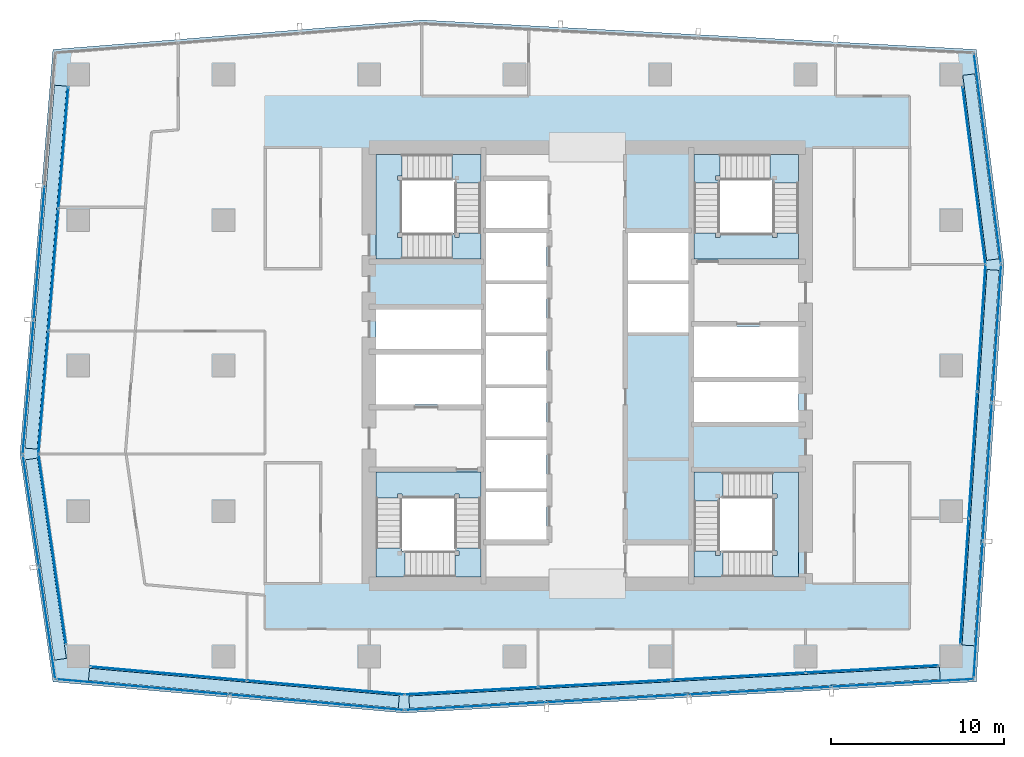
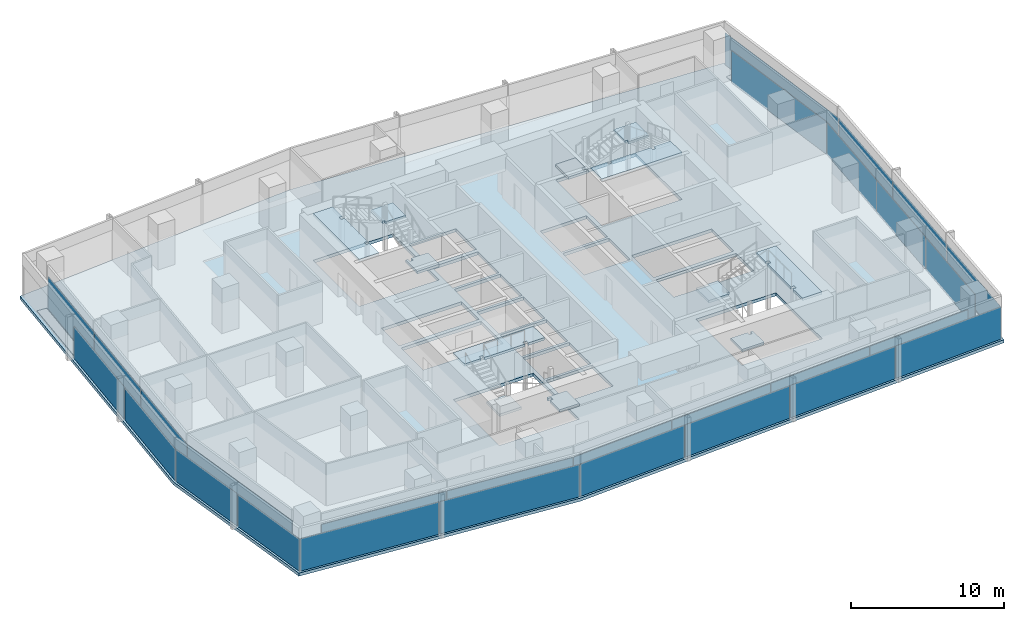
# One storey, part 21 of 30: 34 plates, 13 slabs, 16 elements without a shape of their own.
"""IFC4 building model written with IfcOpenShell, lengths in metres."""

from ifc_helpers import new_model, si_unit, direction, frame, origin, origin_2d, place, context, subcontext, project, spatial, polyline, rectangle, outline, extrude, material, layer, layer_set, type_object, element, aggregate, save


model = new_model("IFC4")

# Units and contexts
model_context = context("Model", 3, precision=1e-05, world=origin(), true_north=direction((0.0, 1.0)))
body_context = subcontext(model_context, "Body", "Model", "MODEL_VIEW")
ifc_project = project(units=[si_unit("LENGTHUNIT", "METRE"), si_unit("AREAUNIT", "SQUARE_METRE"), si_unit("VOLUMEUNIT", "CUBIC_METRE"), si_unit("PLANEANGLEUNIT", "RADIAN"), si_unit("MASSUNIT", "GRAM", prefix="KILO")], contexts=[model_context])

# Site, building, storey
site_placement = place(None, origin())
site = spatial("IfcSite", under=ifc_project, at=site_placement, CompositionType="ELEMENT")
building_placement = place(site_placement, origin())
building = spatial("IfcBuilding", under=site, at=building_placement, Name="Rekha Terrace Tower", CompositionType="ELEMENT")
storey_placement = place(building_placement, frame((0.0, 0.0, 265.10009765625)))
storey = spatial("IfcBuildingStorey", under=building, at=storey_placement, Name="L67", CompositionType="ELEMENT", Elevation=265.10009765625)

# Curtain wall, plates
ifc_material_1 = material(Name="Aluminium framing", Category="aluminium")
curtain_wall_type_1 = type_object("IfcCurtainWallType", Name="CW1 double skin inner glazing", PredefinedType="USERDEFINED", material=ifc_material_1)
curtain_wall_1_placement = place(storey_placement, origin())
curtain_wall_1 = element("IfcCurtainWall", 1, at=curtain_wall_1_placement, inside=storey, type_object=curtain_wall_type_1, Name="CW1 double skin inner glazing", ObjectType="DOUBLE SKIN INNER GLAZING", PredefinedType="USERDEFINED")
ifc_material_2 = material(Name="Double-glazed low-e unit 32", Category="glass")
ifc_layer_1 = layer(ifc_material_2, 0.031982421875)
ifc_layer_set_1 = layer_set([ifc_layer_1], Name="Double-glazed low-e unit 32")
plate_type_1 = type_object("IfcPlateType", Name="CW1 jumbo vision panel, double-glazed low-e unit 32", PredefinedType="CURTAIN_PANEL", material=ifc_layer_set_1)
plate_1_placement = place(storey_placement, frame((13.62939453125, 15.820556640625, -0.000244140625), z_axis=(0.0, 0.0, 1.0), x_axis=(0.996074182663, -0.088522441405, 0.0)))
plate_1 = element("IfcPlate", 2, at=plate_1_placement, type_object=plate_type_1, Name="CW1 panel 1.1", PredefinedType="CURTAIN_PANEL", context=body_context, shape_type="SweptSolid", body=[
    extrude(rectangle(XDim=9.010986328125, YDim=0.031982421875, at=origin_2d()), origin(), (0.0, 0.0, 1.0), 2.60009765625),
])
plate_2_placement = place(storey_placement, frame((22.701904296875, 15.01416015625, -0.000244140625), z_axis=(0.0, 0.0, 1.0), x_axis=(0.996074182663, -0.088522441405, 0.0)))
plate_2 = element("IfcPlate", 3, at=plate_2_placement, type_object=plate_type_1, Name="CW1 panel 2.1", PredefinedType="CURTAIN_PANEL", context=body_context, shape_type="SweptSolid", body=[
    extrude(rectangle(XDim=9.075927734375, YDim=0.031982421875, at=origin_2d()), origin(), (0.0, 0.0, 1.0), 2.60009765625),
])
aggregate(curtain_wall_1, [plate_1, plate_2])

curtain_wall_2_placement = place(storey_placement, origin())
curtain_wall_2 = element("IfcCurtainWall", 4, at=curtain_wall_2_placement, inside=storey, type_object=curtain_wall_type_1, Name="CW1 double skin inner glazing", ObjectType="DOUBLE SKIN INNER GLAZING", PredefinedType="USERDEFINED")
plate_3_placement = place(storey_placement, frame((31.101318359375, 14.82373046875, -0.000244140625), z_axis=(0.0, 0.0, 1.0), x_axis=(0.998519828159, 0.054388903036, 0.0)))
plate_3 = element("IfcPlate", 5, at=plate_3_placement, type_object=plate_type_1, Name="CW1 panel 1.1", PredefinedType="CURTAIN_PANEL", context=body_context, shape_type="SweptSolid", body=[
    extrude(rectangle(XDim=7.6396484375, YDim=0.031982421875, at=origin_2d()), origin(), (0.0, 0.0, 1.0), 2.60009765625),
])
plate_4_placement = place(storey_placement, frame((38.810791015625, 15.243896484375, -0.000244140625), z_axis=(0.0, 0.0, 1.0), x_axis=(0.998519828159, 0.054388903036, 0.0)))
plate_4 = element("IfcPlate", 6, at=plate_4_placement, type_object=plate_type_1, Name="CW1 panel 2.1", PredefinedType="CURTAIN_PANEL", context=body_context, shape_type="SweptSolid", body=[
    extrude(rectangle(XDim=7.672119140625, YDim=0.031982421875, at=origin_2d()), origin(), (0.0, 0.0, 1.0), 2.60009765625),
])
plate_5_placement = place(storey_placement, frame((46.536376953125, 15.66455078125, -0.000244140625), z_axis=(0.0, 0.0, 1.0), x_axis=(0.998519828159, 0.054388903036, 0.0)))
plate_5 = element("IfcPlate", 7, at=plate_5_placement, type_object=plate_type_1, Name="CW1 panel 3.1", PredefinedType="CURTAIN_PANEL", context=body_context, shape_type="SweptSolid", body=[
    extrude(rectangle(XDim=7.672119140625, YDim=0.031982421875, at=origin_2d()), origin(), (0.0, 0.0, 1.0), 2.60009765625),
])
plate_6_placement = place(storey_placement, frame((54.245849609375, 16.08447265625, -0.000244140625), z_axis=(0.0, 0.0, 1.0), x_axis=(0.998519828159, 0.054388903036, 0.0)))
plate_6 = element("IfcPlate", 8, at=plate_6_placement, type_object=plate_type_1, Name="CW1 panel 4.1", PredefinedType="CURTAIN_PANEL", context=body_context, shape_type="SweptSolid", body=[
    extrude(rectangle(XDim=7.6396484375, YDim=0.031982421875, at=origin_2d()), origin(), (0.0, 0.0, 1.0), 2.60009765625),
])
aggregate(curtain_wall_2, [plate_3, plate_4, plate_5, plate_6])

curtain_wall_3_placement = place(storey_placement, origin())
curtain_wall_3 = element("IfcCurtainWall", 9, at=curtain_wall_3_placement, inside=storey, type_object=curtain_wall_type_1, Name="CW1 double skin inner glazing", ObjectType="DOUBLE SKIN INNER GLAZING", PredefinedType="USERDEFINED")
plate_7_placement = place(storey_placement, frame((59.57275390625, 21.147705078125, -0.000244140625), z_axis=(0.0, 0.0, 1.0), x_axis=(0.066271589649, 0.997801621769, 0.0)))
plate_7 = element("IfcPlate", 10, at=plate_7_placement, type_object=plate_type_1, Name="CW1 panel 1.1", PredefinedType="CURTAIN_PANEL", context=body_context, shape_type="SweptSolid", body=[
    extrude(rectangle(XDim=7.228759765625, YDim=0.031982421875, at=origin_2d()), origin(), (0.0, 0.0, 1.0), 2.60009765625),
])
plate_8_placement = place(storey_placement, frame((60.05712890625, 28.441650390625, -0.000244140625), z_axis=(0.0, 0.0, 1.0), x_axis=(0.066271589649, 0.997801621769, 0.0)))
plate_8 = element("IfcPlate", 11, at=plate_8_placement, type_object=plate_type_1, Name="CW1 panel 2.1", PredefinedType="CURTAIN_PANEL", context=body_context, shape_type="SweptSolid", body=[
    extrude(rectangle(XDim=7.261474609375, YDim=0.031982421875, at=origin_2d()), origin(), (0.0, 0.0, 1.0), 2.60009765625),
])
plate_9_placement = place(storey_placement, frame((60.543701171875, 35.76806640625, -0.000244140625), z_axis=(0.0, 0.0, 1.0), x_axis=(0.066271589649, 0.997801621769, 0.0)))
plate_9 = element("IfcPlate", 12, at=plate_9_placement, type_object=plate_type_1, Name="CW1 panel 3.1", PredefinedType="CURTAIN_PANEL", context=body_context, shape_type="SweptSolid", body=[
    extrude(rectangle(XDim=7.2939453125, YDim=0.031982421875, at=origin_2d()), origin(), (0.0, 0.0, 1.0), 2.60009765625),
])
aggregate(curtain_wall_3, [plate_7, plate_8, plate_9])

# Curtain wall, plate
curtain_wall_4_placement = place(storey_placement, origin())
curtain_wall_4 = element("IfcCurtainWall", 13, at=curtain_wall_4_placement, inside=storey, type_object=curtain_wall_type_1, Name="CW1 double skin inner glazing", ObjectType="DOUBLE SKIN INNER GLAZING", PredefinedType="USERDEFINED")
plate_10_placement = place(storey_placement, frame((60.119873046875, 44.56884765625, -0.000244140625), z_axis=(0.0, 0.0, 1.0), x_axis=(-0.127869904766, 0.991790949472, 0.0)))
plate_10 = element("IfcPlate", 14, at=plate_10_placement, type_object=plate_type_1, Name="CW1 panel 1.1", PredefinedType="CURTAIN_PANEL", context=body_context, shape_type="SweptSolid", body=[
    extrude(rectangle(XDim=10.27880859375, YDim=0.031982421875, at=origin_2d()), origin(), (0.0, 0.0, 1.0), 2.60009765625),
])
aggregate(curtain_wall_4, [plate_10])

# Curtain wall, plates
curtain_wall_5_placement = place(storey_placement, origin())
curtain_wall_5 = element("IfcCurtainWall", 15, at=curtain_wall_5_placement, inside=storey, type_object=curtain_wall_type_1, Name="CW1 double skin inner glazing", ObjectType="DOUBLE SKIN INNER GLAZING", PredefinedType="USERDEFINED")
plate_11_placement = place(storey_placement, frame((7.5517578125, 46.173095703125, -0.000244140625), z_axis=(0.0, 0.0, 1.0), x_axis=(-0.081067906781, -0.996708580524, 0.0)))
plate_11 = element("IfcPlate", 16, at=plate_11_placement, type_object=plate_type_1, Name="CW1 panel 1.1", PredefinedType="CURTAIN_PANEL", context=body_context, shape_type="SweptSolid", body=[
    extrude(rectangle(XDim=6.9921875, YDim=0.031982421875, at=origin_2d()), origin(), (0.0, 0.0, 1.0), 2.60009765625),
])
plate_12_placement = place(storey_placement, frame((6.978271484375, 39.123046875, -0.000244140625), z_axis=(0.0, 0.0, 1.0), x_axis=(-0.081067906781, -0.996708580524, 0.0)))
plate_12 = element("IfcPlate", 17, at=plate_12_placement, type_object=plate_type_1, Name="CW1 panel 2.1", PredefinedType="CURTAIN_PANEL", context=body_context, shape_type="SweptSolid", body=[
    extrude(rectangle(XDim=7.024658203125, YDim=0.031982421875, at=origin_2d()), origin(), (0.0, 0.0, 1.0), 2.60009765625),
])
plate_13_placement = place(storey_placement, frame((6.40234375, 32.040283203125, -0.000244140625), z_axis=(0.0, 0.0, 1.0), x_axis=(-0.081067906781, -0.996708580524, 0.0)))
plate_13 = element("IfcPlate", 18, at=plate_13_placement, type_object=plate_type_1, Name="CW1 panel 3.1", PredefinedType="CURTAIN_PANEL", context=body_context, shape_type="SweptSolid", body=[
    extrude(rectangle(XDim=7.057373046875, YDim=0.031982421875, at=origin_2d()), origin(), (0.0, 0.0, 1.0), 2.60009765625),
])
aggregate(curtain_wall_5, [plate_11, plate_12, plate_13])

# Curtain wall, plate
curtain_wall_6_placement = place(storey_placement, origin())
curtain_wall_6 = element("IfcCurtainWall", 19, at=curtain_wall_6_placement, inside=storey, type_object=curtain_wall_type_1, Name="CW1 double skin inner glazing", ObjectType="DOUBLE SKIN INNER GLAZING", PredefinedType="USERDEFINED")
plate_14_placement = place(storey_placement, frame((6.915771484375, 22.994140625, -0.000244140625), z_axis=(0.0, 0.0, 1.0), x_axis=(0.143108322643, -0.989707031394, 0.0)))
plate_14 = element("IfcPlate", 20, at=plate_14_placement, type_object=plate_type_1, Name="CW1 panel 1.1", PredefinedType="CURTAIN_PANEL", context=body_context, shape_type="SweptSolid", body=[
    extrude(rectangle(XDim=11.043212890625, YDim=0.031982421875, at=origin_2d()), origin(), (0.0, 0.0, 1.0), 2.60009765625),
])
aggregate(curtain_wall_6, [plate_14])

# Curtain wall, plates
curtain_wall_type_2 = type_object("IfcCurtainWallType", Name="CW2 double skin outer glazing", PredefinedType="USERDEFINED", material=ifc_material_1)
curtain_wall_7_placement = place(storey_placement, origin())
curtain_wall_7 = element("IfcCurtainWall", 21, at=curtain_wall_7_placement, inside=storey, type_object=curtain_wall_type_2, Name="CW2 double skin outer glazing", ObjectType="DOUBLE SKIN OUTER GLAZING", PredefinedType="USERDEFINED")
ifc_material_3 = material(Name="Toughened single glazing 12", Category="glass")
ifc_layer_2 = layer(ifc_material_3, 0.011962890625)
ifc_layer_set_2 = layer_set([ifc_layer_2], Name="Toughened single glazing 12")
plate_type_2 = type_object("IfcPlateType", Name="CW2 jumbo vision panel, toughened single glazing 12", PredefinedType="CURTAIN_PANEL", material=ifc_layer_set_2)
plate_15_placement = place(storey_placement, frame((12.139404296875, 15.049560546875, -0.000244140625), z_axis=(0.0, 0.0, 1.0), x_axis=(0.996074182658, -0.088522441457, 0.0)))
plate_15 = element("IfcPlate", 22, at=plate_15_placement, type_object=plate_type_2, Name="CW2 panel 1.1", PredefinedType="CURTAIN_PANEL", context=body_context, shape_type="SweptSolid", body=[
    extrude(rectangle(XDim=9.977783203125, YDim=0.011962890625, at=origin_2d()), origin(), (0.0, 0.0, 1.0), 2.60009765625),
])
plate_16_placement = place(storey_placement, frame((22.197509765625, 14.155517578125, -0.000244140625), z_axis=(0.0, 0.0, 1.0), x_axis=(0.996074182658, -0.088522441457, 0.0)))
plate_16 = element("IfcPlate", 23, at=plate_16_placement, type_object=plate_type_2, Name="CW2 panel 2.1", PredefinedType="CURTAIN_PANEL", context=body_context, shape_type="SweptSolid", body=[
    extrude(rectangle(XDim=10.057861328125, YDim=0.011962890625, at=origin_2d()), origin(), (0.0, 0.0, 1.0), 2.60009765625),
])
aggregate(curtain_wall_7, [plate_15, plate_16])

curtain_wall_8_placement = place(storey_placement, origin())
curtain_wall_8 = element("IfcCurtainWall", 24, at=curtain_wall_8_placement, inside=storey, type_object=curtain_wall_type_2, Name="CW2 double skin outer glazing", ObjectType="DOUBLE SKIN OUTER GLAZING", PredefinedType="USERDEFINED")
plate_17_placement = place(storey_placement, frame((31.33837890625, 13.935546875, -0.000244140625), z_axis=(0.0, 0.0, 1.0), x_axis=(0.998519828157, 0.054388903071, 0.0)))
plate_17 = element("IfcPlate", 25, at=plate_17_placement, type_object=plate_type_2, Name="CW2 panel 1.1", PredefinedType="CURTAIN_PANEL", context=body_context, shape_type="SweptSolid", body=[
    extrude(rectangle(XDim=8.115478515625, YDim=0.011962890625, at=origin_2d()), origin(), (0.0, 0.0, 1.0), 2.60009765625),
])
plate_18_placement = place(storey_placement, frame((39.54150390625, 14.38232421875, -0.000244140625), z_axis=(0.0, 0.0, 1.0), x_axis=(0.998519828157, 0.054388903071, 0.0)))
plate_18 = element("IfcPlate", 26, at=plate_18_placement, type_object=plate_type_2, Name="CW2 panel 2.1", PredefinedType="CURTAIN_PANEL", context=body_context, shape_type="SweptSolid", body=[
    extrude(rectangle(XDim=8.155517578125, YDim=0.011962890625, at=origin_2d()), origin(), (0.0, 0.0, 1.0), 2.60009765625),
])
plate_19_placement = place(storey_placement, frame((47.764892578125, 14.830078125, -0.000244140625), z_axis=(0.0, 0.0, 1.0), x_axis=(0.998519828157, 0.054388903071, 0.0)))
plate_19 = element("IfcPlate", 27, at=plate_19_placement, type_object=plate_type_2, Name="CW2 panel 3.1", PredefinedType="CURTAIN_PANEL", context=body_context, shape_type="SweptSolid", body=[
    extrude(rectangle(XDim=8.155517578125, YDim=0.011962890625, at=origin_2d()), origin(), (0.0, 0.0, 1.0), 2.60009765625),
])
plate_20_placement = place(storey_placement, frame((56.008056640625, 15.279296875, -0.000244140625), z_axis=(0.0, 0.0, 1.0), x_axis=(0.998519828157, 0.054388903071, 0.0)))
plate_20 = element("IfcPlate", 28, at=plate_20_placement, type_object=plate_type_2, Name="CW2 panel 4.1", PredefinedType="CURTAIN_PANEL", context=body_context, shape_type="SweptSolid", body=[
    extrude(rectangle(XDim=8.195556640625, YDim=0.011962890625, at=origin_2d()), origin(), (0.0, 0.0, 1.0), 2.60009765625),
])
aggregate(curtain_wall_8, [plate_17, plate_18, plate_19, plate_20])

curtain_wall_9_placement = place(storey_placement, origin())
curtain_wall_9 = element("IfcCurtainWall", 29, at=curtain_wall_9_placement, inside=storey, type_object=curtain_wall_type_2, Name="CW2 double skin outer glazing", ObjectType="DOUBLE SKIN OUTER GLAZING", PredefinedType="USERDEFINED")
plate_21_placement = place(storey_placement, frame((60.365966796875, 19.5107421875, -0.000244140625), z_axis=(0.0, 0.0, 1.0), x_axis=(0.066271589649, 0.997801621769, 0.0)))
plate_21 = element("IfcPlate", 30, at=plate_21_placement, type_object=plate_type_2, Name="CW2 panel 1.1", PredefinedType="CURTAIN_PANEL", context=body_context, shape_type="SweptSolid", body=[
    extrude(rectangle(XDim=7.875244140625, YDim=0.011962890625, at=origin_2d()), origin(), (0.0, 0.0, 1.0), 2.60009765625),
])
plate_22_placement = place(storey_placement, frame((60.89453125, 27.468505859375, -0.000244140625), z_axis=(0.0, 0.0, 1.0), x_axis=(0.066271589649, 0.997801621769, 0.0)))
plate_22 = element("IfcPlate", 31, at=plate_22_placement, type_object=plate_type_2, Name="CW2 panel 2.1", PredefinedType="CURTAIN_PANEL", context=body_context, shape_type="SweptSolid", body=[
    extrude(rectangle(XDim=7.915283203125, YDim=0.011962890625, at=origin_2d()), origin(), (0.0, 0.0, 1.0), 2.60009765625),
])
plate_23_placement = place(storey_placement, frame((61.42578125, 35.466064453125, -0.000244140625), z_axis=(0.0, 0.0, 1.0), x_axis=(0.066271589649, 0.997801621769, 0.0)))
plate_23 = element("IfcPlate", 32, at=plate_23_placement, type_object=plate_type_2, Name="CW2 panel 3.1", PredefinedType="CURTAIN_PANEL", context=body_context, shape_type="SweptSolid", body=[
    extrude(rectangle(XDim=7.955322265625, YDim=0.011962890625, at=origin_2d()), origin(), (0.0, 0.0, 1.0), 2.60009765625),
])
aggregate(curtain_wall_9, [plate_21, plate_22, plate_23])

# Curtain wall, plate
curtain_wall_10_placement = place(storey_placement, origin())
curtain_wall_10 = element("IfcCurtainWall", 33, at=curtain_wall_10_placement, inside=storey, type_object=curtain_wall_type_2, Name="CW2 double skin outer glazing", ObjectType="DOUBLE SKIN OUTER GLAZING", PredefinedType="USERDEFINED")
plate_24_placement = place(storey_placement, frame((60.89892578125, 45.566162109375, -0.000244140625), z_axis=(0.0, 0.0, 1.0), x_axis=(-0.12786990487, 0.991790949459, 0.0)))
plate_24 = element("IfcPlate", 34, at=plate_24_placement, type_object=plate_type_2, Name="CW2 panel 1.1", PredefinedType="CURTAIN_PANEL", context=body_context, shape_type="SweptSolid", body=[
    extrude(rectangle(XDim=12.203857421875, YDim=0.011962890625, at=origin_2d()), origin(), (0.0, 0.0, 1.0), 2.60009765625),
])
aggregate(curtain_wall_10, [plate_24])

# Curtain wall, plates
curtain_wall_11_placement = place(storey_placement, origin())
curtain_wall_11 = element("IfcCurtainWall", 35, at=curtain_wall_11_placement, inside=storey, type_object=curtain_wall_type_2, Name="CW2 double skin outer glazing", ObjectType="DOUBLE SKIN OUTER GLAZING", PredefinedType="USERDEFINED")
plate_25_placement = place(storey_placement, frame((6.15478515625, 40.09814453125, -0.000244140625), z_axis=(0.0, 0.0, 1.0), x_axis=(-0.081067906816, -0.996708580521, 0.0)))
plate_25 = element("IfcPlate", 36, at=plate_25_placement, type_object=plate_type_2, Name="CW2 panel 2.1", PredefinedType="CURTAIN_PANEL", context=body_context, shape_type="SweptSolid", body=[
    extrude(rectangle(XDim=7.680908203125, YDim=0.011962890625, at=origin_2d()), origin(), (0.0, 0.0, 1.0), 2.60009765625),
])
plate_26_placement = place(storey_placement, frame((5.52392578125, 32.3427734375, -0.000244140625), z_axis=(0.0, 0.0, 1.0), x_axis=(-0.081067906816, -0.996708580521, 0.0)))
plate_26 = element("IfcPlate", 37, at=plate_26_placement, type_object=plate_type_2, Name="CW2 panel 3.1", PredefinedType="CURTAIN_PANEL", context=body_context, shape_type="SweptSolid", body=[
    extrude(rectangle(XDim=7.720947265625, YDim=0.011962890625, at=origin_2d()), origin(), (0.0, 0.0, 1.0), 2.60009765625),
])
aggregate(curtain_wall_11, [plate_25, plate_26])

curtain_wall_12_placement = place(storey_placement, origin())
curtain_wall_12 = element("IfcCurtainWall", 38, at=curtain_wall_12_placement, inside=storey, type_object=curtain_wall_type_2, Name="CW2 double skin outer glazing", ObjectType="DOUBLE SKIN OUTER GLAZING", PredefinedType="USERDEFINED")
plate_27_placement = place(storey_placement, frame((5.68359375, 25.22607421875, -0.000244140625), z_axis=(0.0, 0.0, 1.0), x_axis=(0.143108322678, -0.989707031389, 0.0)))
plate_27 = element("IfcPlate", 39, at=plate_27_placement, type_object=plate_type_2, Name="CW2 panel 1.1", PredefinedType="CURTAIN_PANEL", context=body_context, shape_type="SweptSolid", body=[
    extrude(rectangle(XDim=6.446044921875, YDim=0.011962890625, at=origin_2d()), origin(), (0.0, 0.0, 1.0), 2.60009765625),
])
plate_28_placement = place(storey_placement, frame((6.623291015625, 18.7275390625, -0.000244140625), z_axis=(0.0, 0.0, 1.0), x_axis=(0.143108322678, -0.989707031389, 0.0)))
plate_28 = element("IfcPlate", 40, at=plate_28_placement, type_object=plate_type_2, Name="CW2 panel 2.1", PredefinedType="CURTAIN_PANEL", context=body_context, shape_type="SweptSolid", body=[
    extrude(rectangle(XDim=6.526123046875, YDim=0.011962890625, at=origin_2d()), origin(), (0.0, 0.0, 1.0), 2.60009765625),
])
aggregate(curtain_wall_12, [plate_27, plate_28])

# Plates
ifc_material_4 = material(Name="Galvanised steel open grating", Category="steel")
ifc_layer_3 = layer(ifc_material_4, 0.050048828125)
ifc_layer_set_3 = layer_set([ifc_layer_3], Name="Galvanised steel open grating")
plate_type_3 = type_object("IfcPlateType", Name="GT1 cavity walkway grating 50", PredefinedType="USERDEFINED", material=ifc_layer_set_3)
plate_29_placement = place(storey_placement, frame((17.974853515625, 14.982666015625, 0.0), z_axis=(0.0, 0.0, 1.0), x_axis=(0.99607418266, -0.08852244144, 0.0)))
element("IfcPlate", 41, at=plate_29_placement, inside=storey, type_object=plate_type_3, Name="Cavity walkway grating", ObjectType="CAVITY WALKWAY GRATING", PredefinedType="USERDEFINED", context=body_context, shape_type="SweptSolid", body=[
    extrude(rectangle(XDim=17.9521484375, YDim=0.705078125, at=origin_2d()), origin(), (0.0, 0.0, 1.0), 0.050048828125),
])
plate_30_placement = place(storey_placement, frame((42.830322265625, 15.011962890625, 0.0), z_axis=(0.0, 0.0, 1.0), x_axis=(0.998519828157, 0.054388903071, 0.0)))
element("IfcPlate", 42, at=plate_30_placement, inside=storey, type_object=plate_type_3, Name="Cavity walkway grating", ObjectType="CAVITY WALKWAY GRATING", PredefinedType="USERDEFINED", context=body_context, shape_type="SweptSolid", body=[
    extrude(rectangle(XDim=30.677978515625, YDim=0.705078125, at=origin_2d()), origin(), (0.0, 0.0, 1.0), 0.050048828125),
])
plate_31_placement = place(storey_placement, frame((60.497802734375, 28.284912109375, 0.0), z_axis=(0.0, 0.0, 1.0), x_axis=(0.066271589649, 0.997801621769, 0.0)))
element("IfcPlate", 43, at=plate_31_placement, inside=storey, type_object=plate_type_3, Name="Cavity walkway grating", ObjectType="CAVITY WALKWAY GRATING", PredefinedType="USERDEFINED", context=body_context, shape_type="SweptSolid", body=[
    extrude(rectangle(XDim=21.72119140625, YDim=0.705078125, at=origin_2d()), origin(), (0.0, 0.0, 1.0), 0.050048828125),
])
plate_32_placement = place(storey_placement, frame((60.510498046875, 45.058837890625, 0.0), z_axis=(0.0, 0.0, 1.0), x_axis=(-0.127869904852, 0.991790949461, 0.0)))
element("IfcPlate", 44, at=plate_32_placement, inside=storey, type_object=plate_type_3, Name="Cavity walkway grating", ObjectType="CAVITY WALKWAY GRATING", PredefinedType="USERDEFINED", context=body_context, shape_type="SweptSolid", body=[
    extrude(rectangle(XDim=10.76904296875, YDim=0.705078125, at=origin_2d()), origin(), (0.0, 0.0, 1.0), 0.050048828125),
])
plate_33_placement = place(storey_placement, frame((6.5400390625, 39.28369140625, 0.0), z_axis=(0.0, 0.0, 1.0), x_axis=(-0.081067906798, -0.996708580523, 0.0)))
element("IfcPlate", 45, at=plate_33_placement, inside=storey, type_object=plate_type_3, Name="Cavity walkway grating", ObjectType="CAVITY WALKWAY GRATING", PredefinedType="USERDEFINED", context=body_context, shape_type="SweptSolid", body=[
    extrude(rectangle(XDim=21.02001953125, YDim=0.705078125, at=origin_2d()), origin(), (0.0, 0.0, 1.0), 0.050048828125),
])
plate_34_placement = place(storey_placement, frame((6.54248046875, 22.4306640625, 0.0), z_axis=(0.0, 0.0, 1.0), x_axis=(0.143108322643, -0.989707031394, 0.0)))
element("IfcPlate", 46, at=plate_34_placement, inside=storey, type_object=plate_type_3, Name="Cavity walkway grating", ObjectType="CAVITY WALKWAY GRATING", PredefinedType="USERDEFINED", context=body_context, shape_type="SweptSolid", body=[
    extrude(rectangle(XDim=11.68310546875, YDim=0.705078125, at=origin_2d()), origin(), (0.0, 0.0, 1.0), 0.050048828125),
])

# Stair, slabs
ifc_material_5 = material(Name="Concrete M40", Category="concrete")
stair_type = type_object("IfcStairType", Name="ST30 stair, 30 risers of 125, going 320, 1500 wide flights, 3 flights", PredefinedType="HALF_TURN_STAIR", material=ifc_material_5)
stair_1_placement = place(storey_placement, origin())
stair_1 = element("IfcStair", 47, at=stair_1_placement, inside=storey, type_object=stair_type, Name="Stair ST1 L67 to L68", PredefinedType="HALF_TURN_STAIR")
ifc_layer_4 = layer(ifc_material_5, 0.199951171875)
ifc_layer_set_4 = layer_set([ifc_layer_4], Name="Concrete M40")
slab_type_1 = type_object("IfcSlabType", Name="LD1 200 concrete stair landing", PredefinedType="LANDING", material=ifc_layer_set_4)
slab_1_placement = place(storey_placement, frame((0.0, 0.0, 1.0498046875)))
slab_1 = element("IfcSlab", 48, at=slab_1_placement, type_object=slab_type_1, Name="ST1 landing 1", PredefinedType="LANDING", context=body_context, shape_type="SweptSolid", body=[
    extrude(outline(polyline([(30.14990234375, 21.39990234375), (31.64990234375, 21.39990234375), (31.64990234375, 23.070068359375), (30.14990234375, 23.070068359375), (30.14990234375, 22.89990234375), (30.39990234375, 22.89990234375), (30.39990234375, 22.64990234375), (30.14990234375, 22.64990234375), (30.14990234375, 21.39990234375)])), origin(), (0.0, 0.0, 1.0), 0.2001953125),
])
slab_2_placement = place(storey_placement, frame((0.0, 0.0, 2.2998046875)))
slab_2 = element("IfcSlab", 49, at=slab_2_placement, type_object=slab_type_1, Name="ST1 landing 2", PredefinedType="LANDING", context=body_context, shape_type="SweptSolid", body=[
    extrude(outline(polyline([(27.10009765625, 23.070068359375), (25.60009765625, 23.070068359375), (25.60009765625, 21.39990234375), (27.27001953125, 21.39990234375), (27.27001953125, 22.89990234375), (27.10009765625, 22.89990234375), (27.10009765625, 23.070068359375)])), origin(), (0.0, 0.0, 1.0), 0.2001953125),
])
slab_3_placement = place(storey_placement, frame((0.0, 0.0, 3.5498046875)))
slab_3 = element("IfcSlab", 50, at=slab_3_placement, type_object=slab_type_1, Name="ST1 landing 3", PredefinedType="LANDING", context=body_context, shape_type="SweptSolid", body=[
    extrude(outline(polyline([(31.64990234375, 25.949951171875), (31.64990234375, 27.449951171875), (25.60009765625, 27.449951171875), (25.60009765625, 25.949951171875), (26.85009765625, 25.949951171875), (26.85009765625, 26.199951171875), (27.10009765625, 26.199951171875), (27.10009765625, 25.949951171875), (30.14990234375, 25.949951171875), (30.14990234375, 26.199951171875), (30.39990234375, 26.199951171875), (30.39990234375, 25.949951171875), (31.64990234375, 25.949951171875)])), origin(), (0.0, 0.0, 1.0), 0.2001953125),
])
aggregate(stair_1, [slab_1, slab_2, slab_3])

stair_2_placement = place(storey_placement, origin())
stair_2 = element("IfcStair", 51, at=stair_2_placement, inside=storey, type_object=stair_type, Name="Stair ST2 L67 to L68", PredefinedType="HALF_TURN_STAIR")
slab_4_placement = place(storey_placement, frame((0.0, 0.0, 1.0498046875)))
slab_4 = element("IfcSlab", 52, at=slab_4_placement, type_object=slab_type_1, Name="ST2 landing 1", PredefinedType="LANDING", context=body_context, shape_type="SweptSolid", body=[
    extrude(outline(polyline([(45.449951171875, 45.800048828125), (43.949951171875, 45.800048828125), (43.949951171875, 44.1298828125), (45.449951171875, 44.1298828125), (45.449951171875, 44.300048828125), (45.199951171875, 44.300048828125), (45.199951171875, 44.550048828125), (45.449951171875, 44.550048828125), (45.449951171875, 45.800048828125)])), origin(), (0.0, 0.0, 1.0), 0.2001953125),
])
slab_5_placement = place(storey_placement, frame((0.0, 0.0, 2.2998046875)))
slab_5 = element("IfcSlab", 53, at=slab_5_placement, type_object=slab_type_1, Name="ST2 landing 2", PredefinedType="LANDING", context=body_context, shape_type="SweptSolid", body=[
    extrude(outline(polyline([(48.5, 44.1298828125), (50.0, 44.1298828125), (50.0, 45.800048828125), (48.330078125, 45.800048828125), (48.330078125, 44.300048828125), (48.5, 44.300048828125), (48.5, 44.1298828125)])), origin(), (0.0, 0.0, 1.0), 0.2001953125),
])
slab_6_placement = place(storey_placement, frame((0.0, 0.0, 3.5498046875)))
slab_6 = element("IfcSlab", 54, at=slab_6_placement, type_object=slab_type_1, Name="ST2 landing 3", PredefinedType="LANDING", context=body_context, shape_type="SweptSolid", body=[
    extrude(outline(polyline([(43.949951171875, 41.25), (43.949951171875, 39.75), (50.0, 39.75), (50.0, 41.25), (48.75, 41.25), (48.75, 41.0), (48.5, 41.0), (48.5, 41.25), (45.449951171875, 41.25), (45.449951171875, 41.0), (45.199951171875, 41.0), (45.199951171875, 41.25), (43.949951171875, 41.25)])), origin(), (0.0, 0.0, 1.0), 0.2001953125),
])
aggregate(stair_2, [slab_4, slab_5, slab_6])

stair_3_placement = place(storey_placement, origin())
stair_3 = element("IfcStair", 55, at=stair_3_placement, inside=storey, type_object=stair_type, Name="Stair ST3 L67 to L68", PredefinedType="HALF_TURN_STAIR")
slab_7_placement = place(storey_placement, frame((0.0, 0.0, 1.0498046875)))
slab_7 = element("IfcSlab", 56, at=slab_7_placement, type_object=slab_type_1, Name="ST3 landing 1", PredefinedType="LANDING", context=body_context, shape_type="SweptSolid", body=[
    extrude(outline(polyline([(43.949951171875, 22.89990234375), (43.949951171875, 21.39990234375), (45.6201171875, 21.39990234375), (45.6201171875, 22.89990234375), (45.449951171875, 22.89990234375), (45.449951171875, 22.64990234375), (45.199951171875, 22.64990234375), (45.199951171875, 22.89990234375), (43.949951171875, 22.89990234375)])), origin(), (0.0, 0.0, 1.0), 0.2001953125),
])
slab_8_placement = place(storey_placement, frame((0.0, 0.0, 2.2998046875)))
slab_8 = element("IfcSlab", 57, at=slab_8_placement, type_object=slab_type_1, Name="ST3 landing 2", PredefinedType="LANDING", context=body_context, shape_type="SweptSolid", body=[
    extrude(outline(polyline([(45.6201171875, 25.949951171875), (45.6201171875, 27.449951171875), (43.949951171875, 27.449951171875), (43.949951171875, 25.780029296875), (45.449951171875, 25.780029296875), (45.449951171875, 25.949951171875), (45.6201171875, 25.949951171875)])), origin(), (0.0, 0.0, 1.0), 0.2001953125),
])
slab_9_placement = place(storey_placement, frame((0.0, 0.0, 3.5498046875)))
slab_9 = element("IfcSlab", 58, at=slab_9_placement, type_object=slab_type_1, Name="ST3 landing 3", PredefinedType="LANDING", context=body_context, shape_type="SweptSolid", body=[
    extrude(outline(polyline([(48.5, 21.39990234375), (50.0, 21.39990234375), (50.0, 27.449951171875), (48.5, 27.449951171875), (48.5, 26.199951171875), (48.75, 26.199951171875), (48.75, 25.949951171875), (48.5, 25.949951171875), (48.5, 22.89990234375), (48.75, 22.89990234375), (48.75, 22.64990234375), (48.5, 22.64990234375), (48.5, 21.39990234375)])), origin(), (0.0, 0.0, 1.0), 0.2001953125),
])
aggregate(stair_3, [slab_7, slab_8, slab_9])

stair_4_placement = place(storey_placement, origin())
stair_4 = element("IfcStair", 59, at=stair_4_placement, inside=storey, type_object=stair_type, Name="Stair ST4 L67 to L68", PredefinedType="HALF_TURN_STAIR")
slab_10_placement = place(storey_placement, frame((0.0, 0.0, 1.0498046875)))
slab_10 = element("IfcSlab", 60, at=slab_10_placement, type_object=slab_type_1, Name="ST4 landing 1", PredefinedType="LANDING", context=body_context, shape_type="SweptSolid", body=[
    extrude(outline(polyline([(31.64990234375, 41.25), (31.64990234375, 39.75), (29.97998046875, 39.75), (29.97998046875, 41.25), (30.14990234375, 41.25), (30.14990234375, 41.0), (30.39990234375, 41.0), (30.39990234375, 41.25), (31.64990234375, 41.25)])), origin(), (0.0, 0.0, 1.0), 0.2001953125),
])
slab_11_placement = place(storey_placement, frame((0.0, 0.0, 2.2998046875)))
slab_11 = element("IfcSlab", 61, at=slab_11_placement, type_object=slab_type_1, Name="ST4 landing 2", PredefinedType="LANDING", context=body_context, shape_type="SweptSolid", body=[
    extrude(outline(polyline([(29.97998046875, 44.300048828125), (29.97998046875, 45.800048828125), (31.64990234375, 45.800048828125), (31.64990234375, 44.1298828125), (30.14990234375, 44.1298828125), (30.14990234375, 44.300048828125), (29.97998046875, 44.300048828125)])), origin(), (0.0, 0.0, 1.0), 0.2001953125),
])
slab_12_placement = place(storey_placement, frame((0.0, 0.0, 3.5498046875)))
slab_12 = element("IfcSlab", 62, at=slab_12_placement, type_object=slab_type_1, Name="ST4 landing 3", PredefinedType="LANDING", context=body_context, shape_type="SweptSolid", body=[
    extrude(outline(polyline([(27.10009765625, 39.75), (25.60009765625, 39.75), (25.60009765625, 45.800048828125), (27.10009765625, 45.800048828125), (27.10009765625, 44.550048828125), (26.85009765625, 44.550048828125), (26.85009765625, 44.300048828125), (27.10009765625, 44.300048828125), (27.10009765625, 41.25), (26.85009765625, 41.25), (26.85009765625, 41.0), (27.10009765625, 41.0), (27.10009765625, 39.75)])), origin(), (0.0, 0.0, 1.0), 0.2001953125),
])
aggregate(stair_4, [slab_10, slab_11, slab_12])

# Slab
ifc_material_6 = material(Name="Concrete M50", Category="concrete")
ifc_layer_5 = layer(ifc_material_6, 0.25)
ifc_layer_set_5 = layer_set([ifc_layer_5], Name="Concrete M50")
slab_type_2 = type_object("IfcSlabType", Name="SL4 250 post-tensioned flat plate", PredefinedType="FLOOR", material=ifc_layer_set_5)
slab_13_placement = place(storey_placement, frame((0.0, 0.0, -0.25)))
element("IfcSlab", 63, at=slab_13_placement, inside=storey, type_object=slab_type_2, Name="Post-tensioned flat plate L67", PredefinedType="FLOOR", context=body_context, shape_type="SweptSolid", body=[
    extrude(outline(polyline([(5.050048828125, 28.489990234375), (6.949951171875, 15.35009765625), (27.2041015625, 13.550048828125), (60.25, 15.35009765625), (61.85009765625, 39.43994140625), (60.25, 51.85009765625), (28.27001953125, 53.550048828125), (6.949951171875, 51.85009765625), (5.050048828125, 28.489990234375)]), holes=[polyline([(31.64990234375, 27.449951171875), (31.64990234375, 21.39990234375), (25.60009765625, 21.39990234375), (25.60009765625, 27.449951171875), (31.64990234375, 27.449951171875)]), polyline([(35.449951171875, 26.300048828125), (35.449951171875, 23.550048828125), (31.949951171875, 23.550048828125), (31.949951171875, 26.300048828125), (35.449951171875, 26.300048828125)]), polyline([(35.449951171875, 29.300048828125), (35.449951171875, 26.5), (31.949951171875, 26.5), (31.949951171875, 29.300048828125), (35.449951171875, 29.300048828125)]), polyline([(35.449951171875, 32.300048828125), (35.449951171875, 29.5), (31.949951171875, 29.5), (31.949951171875, 32.300048828125), (35.449951171875, 32.300048828125)]), polyline([(31.64990234375, 34.25), (31.64990234375, 31.35009765625), (25.60009765625, 31.35009765625), (25.60009765625, 34.25), (31.64990234375, 34.25)]), polyline([(35.449951171875, 35.300048828125), (35.449951171875, 32.5), (31.949951171875, 32.5), (31.949951171875, 35.300048828125), (35.449951171875, 35.300048828125)]), polyline([(31.64990234375, 36.85009765625), (31.64990234375, 34.550048828125), (25.60009765625, 34.550048828125), (25.60009765625, 36.85009765625), (31.64990234375, 36.85009765625)]), polyline([(35.449951171875, 38.300048828125), (35.449951171875, 35.5), (31.949951171875, 35.5), (31.949951171875, 38.300048828125), (35.449951171875, 38.300048828125)]), polyline([(31.64990234375, 45.800048828125), (31.64990234375, 39.75), (25.60009765625, 39.75), (25.60009765625, 45.800048828125), (31.64990234375, 45.800048828125)]), polyline([(50.0, 27.449951171875), (50.0, 21.39990234375), (43.949951171875, 21.39990234375), (43.949951171875, 27.449951171875), (50.0, 27.449951171875)]), polyline([(50.0, 32.64990234375), (50.0, 30.35009765625), (43.949951171875, 30.35009765625), (43.949951171875, 32.64990234375), (50.0, 32.64990234375)]), polyline([(50.0, 35.85009765625), (50.0, 32.949951171875), (43.949951171875, 32.949951171875), (43.949951171875, 35.85009765625), (50.0, 35.85009765625)]), polyline([(43.64990234375, 38.300048828125), (43.64990234375, 35.5), (40.14990234375, 35.5), (40.14990234375, 38.300048828125), (43.64990234375, 38.300048828125)]), polyline([(35.449951171875, 41.25), (35.449951171875, 38.5), (31.949951171875, 38.5), (31.949951171875, 41.25), (35.449951171875, 41.25)]), polyline([(43.64990234375, 41.25), (43.64990234375, 38.5), (40.14990234375, 38.5), (40.14990234375, 41.25), (43.64990234375, 41.25)]), polyline([(50.0, 39.75), (43.949951171875, 39.75), (43.949951171875, 45.800048828125), (50.0, 45.800048828125), (50.0, 39.75)]), polyline([(35.5, 41.550048828125), (31.949951171875, 41.550048828125), (31.949951171875, 44.25), (35.5, 44.25), (35.5, 41.550048828125)])]), origin(), (0.0, 0.0, 1.0), 0.25),
])

save(model, "model.ifc")
